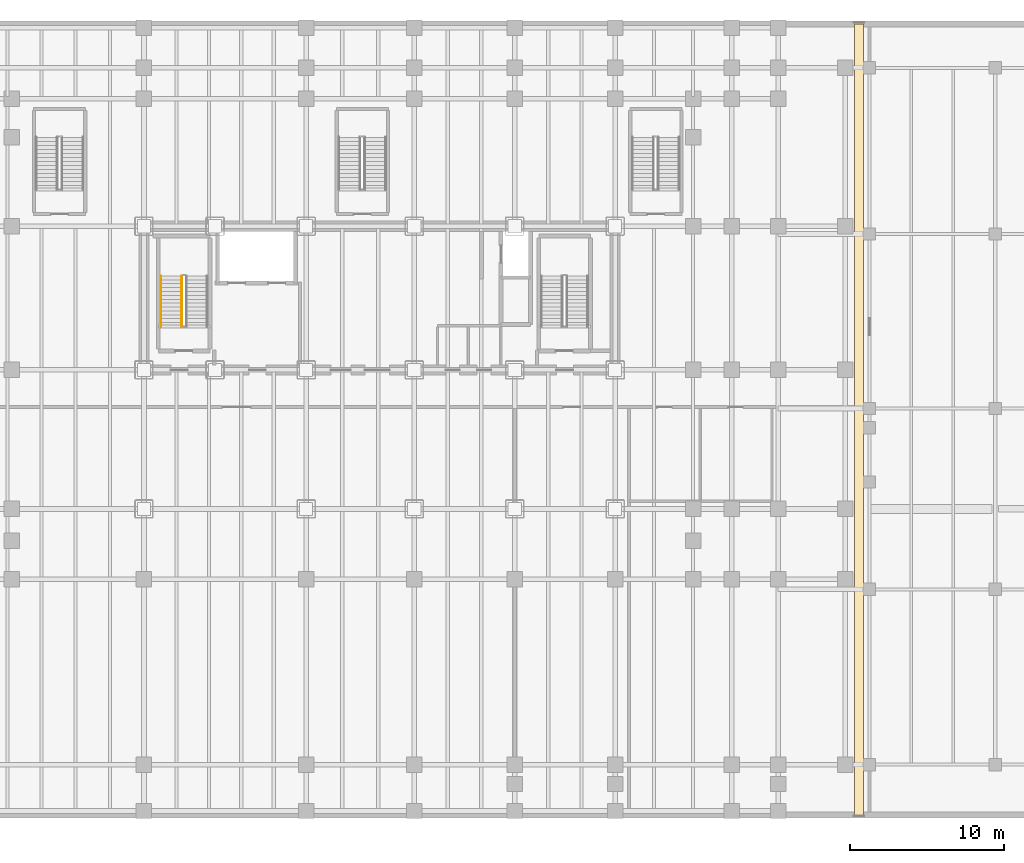
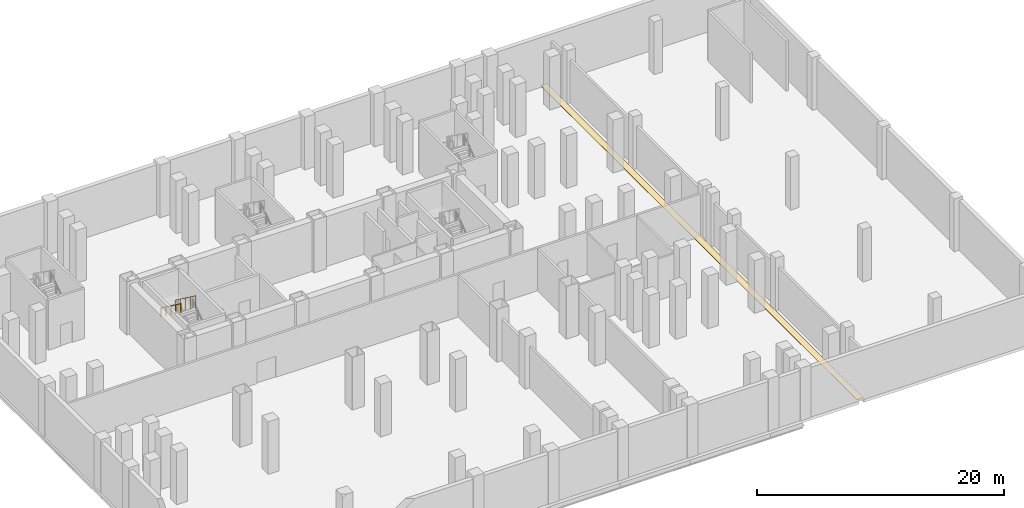
# One storey, part 13 of 15: 2 railings, 1 covering.
"""IFC4 building model written with IfcOpenShell, lengths in metres."""

from ifc_helpers import new_model, si_unit, direction, frame, origin, origin_2d, place, context, subcontext, project, spatial, polyline, circle, outline, extrude, material, layer, layer_set, type_object, element, save


model = new_model("IFC4")

# Units and contexts
model_context = context("Model", 3, precision=1e-05, world=origin(), true_north=direction((0.0, 1.0)))
body_context = subcontext(model_context, "Body", "Model", "MODEL_VIEW")
ifc_project = project(units=[si_unit("LENGTHUNIT", "METRE"), si_unit("AREAUNIT", "SQUARE_METRE"), si_unit("VOLUMEUNIT", "CUBIC_METRE"), si_unit("PLANEANGLEUNIT", "RADIAN"), si_unit("MASSUNIT", "GRAM", prefix="KILO")], contexts=[model_context])

# Site, building, storey
site_placement = place(None, origin())
site = spatial("IfcSite", under=ifc_project, at=site_placement, CompositionType="ELEMENT")
building_placement = place(site_placement, origin())
building = spatial("IfcBuilding", under=site, at=building_placement, Name="Noeulbin Bourse Tower", CompositionType="ELEMENT")
storey_placement = place(building_placement, frame((0.0, 0.0, -10.199951171875)))
storey = spatial("IfcBuildingStorey", under=building, at=storey_placement, Name="B02", CompositionType="ELEMENT", Elevation=-10.199951171875)

# Covering
ifc_material_1 = material(Name="Honed Geumjeong Granite Paving", Category="masonry")
ifc_layer_1 = layer(ifc_material_1, 0.030029296875)
ifc_layer_set_1 = layer_set([ifc_layer_1], Name="Honed Geumjeong Granite Paving")
covering_type = type_object("IfcCoveringType", Name="COV-FLR-STN", PredefinedType="FLOORING", material=ifc_layer_set_1)
covering_placement = place(storey_placement, origin())
element("IfcCovering", 1, at=covering_placement, inside=storey, type_object=covering_type, Name="Seismic Expansion Joint Floor Cover B02", PredefinedType="FLOORING", context=body_context, shape_type="SweptSolid", body=[
    extrude(outline(polyline([(59.47998046875, 0.199951171875), (60.070068359375, 0.199951171875), (60.070068359375, 51.39990234375), (59.47998046875, 51.39990234375), (59.47998046875, 0.199951171875)])), origin(), (0.0, 0.0, 1.0), 0.030029296875),
])

# Railings
ifc_material_2 = material(Name="Painted Tubular Steel S355", Category="steel")
ifc_layer_2 = layer(ifc_material_2, 0.048095703125)
ifc_layer_set_2 = layer_set([ifc_layer_2], Name="Painted Tubular Steel S355")
railing_type_1 = type_object("IfcRailingType", Name="RLG-STR-GRD", PredefinedType="GUARDRAIL", material=ifc_layer_set_2)
railing_1_placement = place(storey_placement, frame((15.949951171875, 35.0859375, 2.78564453125)))
element("IfcRailing", 2, at=railing_1_placement, inside=storey, type_object=railing_type_1, Name="B02 ST-1 stair guard 3", PredefinedType="GUARDRAIL", context=body_context, shape_type="SweptSolid", body=[
    extrude(circle(Radius=0.02392578125, at=origin_2d()), frame((0.0, 0.0, 1.17578125), z_axis=(0.0, -0.804997024378, 0.593278847375), x_axis=(1.0, 0.0, 0.0)), (0.0, 0.0, 1.0), 4.0693359375),
    extrude(circle(Radius=0.02099609375, at=origin_2d()), origin(), (0.0, 0.0, 1.0), 1.15185546875),
    extrude(circle(Radius=0.02099609375, at=origin_2d()), frame((0.0, -0.81884765625, 0.603515625)), (0.0, 0.0, 1.0), 1.15185546875),
    extrude(circle(Radius=0.02099609375, at=origin_2d()), frame((0.0, -1.637939453125, 1.20703125)), (0.0, 0.0, 1.0), 1.15185546875),
    extrude(circle(Radius=0.02099609375, at=origin_2d()), frame((0.0, -2.45703125, 1.810791015625)), (0.0, 0.0, 1.0), 1.15185546875),
    extrude(circle(Radius=0.02099609375, at=origin_2d()), frame((0.0, -3.27587890625, 2.414306640625)), (0.0, 0.0, 1.0), 1.15185546875),
])
ifc_material_3 = material(Name="Brushed Stainless Steel 316", Category="steel")
ifc_layer_3 = layer(ifc_material_3, 0.048095703125)
ifc_layer_set_3 = layer_set([ifc_layer_3], Name="Brushed Stainless Steel 316")
railing_type_2 = type_object("IfcRailingType", Name="RLG-STR-HND", PredefinedType="HANDRAIL", material=ifc_layer_set_3)
railing_2_placement = place(storey_placement, frame((14.60009765625, 35.0859375, 2.78564453125)))
element("IfcRailing", 3, at=railing_2_placement, inside=storey, type_object=railing_type_2, Name="B02 ST-1 stair handrail 2", PredefinedType="HANDRAIL", context=body_context, shape_type="SweptSolid", body=[
    extrude(circle(Radius=0.02392578125, at=origin_2d()), frame((0.0, 0.0, 0.8759765625), z_axis=(0.0, -0.804997024378, 0.593278847375), x_axis=(1.0, 0.0, 0.0)), (0.0, 0.0, 1.0), 4.0693359375),
    extrude(circle(Radius=0.02099609375, at=origin_2d()), origin(), (0.0, 0.0, 1.0), 0.851806640625),
    extrude(circle(Radius=0.02099609375, at=origin_2d()), frame((0.0, -0.81884765625, 0.603515625)), (0.0, 0.0, 1.0), 0.851806640625),
    extrude(circle(Radius=0.02099609375, at=origin_2d()), frame((0.0, -1.637939453125, 1.20703125)), (0.0, 0.0, 1.0), 0.851806640625),
    extrude(circle(Radius=0.02099609375, at=origin_2d()), frame((0.0, -2.45703125, 1.810791015625)), (0.0, 0.0, 1.0), 0.851806640625),
    extrude(circle(Radius=0.02099609375, at=origin_2d()), frame((0.0, -3.27587890625, 2.414306640625)), (0.0, 0.0, 1.0), 0.851806640625),
])

save(model, "model.ifc")
